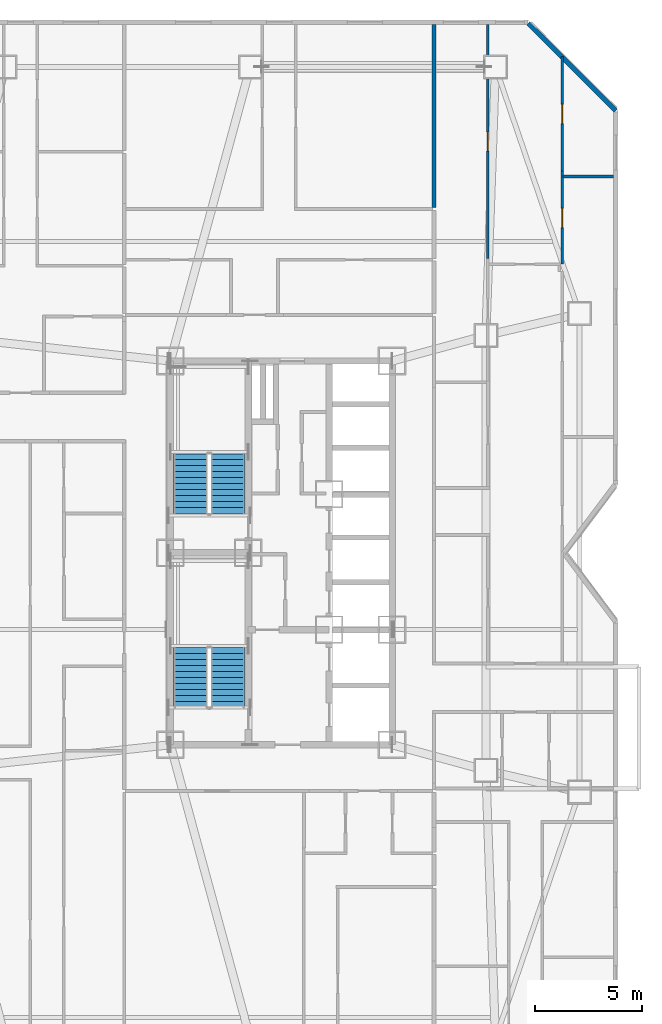
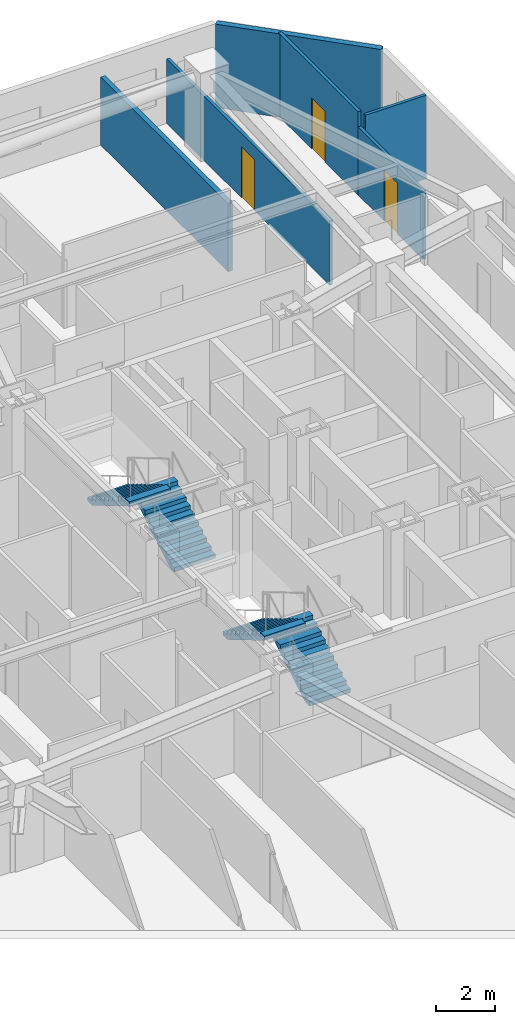
# One storey, part 14 of 17: 6 walls, 4 stair flights, 3 doors, 3 openings, 2 elements without a shape of their own.
"""IFC4 building model written with IfcOpenShell, lengths in metres."""

from ifc_helpers import new_model, si_unit, direction, frame, frame_2d, origin, place, context, subcontext, project, spatial, polyline, rectangle, outline, extrude, material, layer, layer_set, type_object, element, fill, aggregate, save


model = new_model("IFC4")

# Units and contexts
model_context = context("Model", 3, precision=1e-05, world=origin(), true_north=direction((0.0, 1.0)))
body_context = subcontext(model_context, "Body", "Model", "MODEL_VIEW")
ifc_project = project(units=[si_unit("LENGTHUNIT", "METRE"), si_unit("AREAUNIT", "SQUARE_METRE"), si_unit("VOLUMEUNIT", "CUBIC_METRE"), si_unit("PLANEANGLEUNIT", "RADIAN"), si_unit("MASSUNIT", "GRAM", prefix="KILO")], contexts=[model_context])

# Site, building, storey
site_placement = place(None, origin())
site = spatial("IfcSite", under=ifc_project, at=site_placement, CompositionType="ELEMENT")
building_placement = place(site_placement, origin())
building = spatial("IfcBuilding", under=site, at=building_placement, Name="Khamvora Tower", CompositionType="ELEMENT")
storey_placement = place(building_placement, frame((0.0, 0.0, 73.449951171875)))
storey = spatial("IfcBuildingStorey", under=building, at=storey_placement, Name="L18", CompositionType="ELEMENT", Elevation=73.449951171875)

# Walls
ifc_material_1 = material(Name="Acoustic Double-Stud Fire Wall", Category="gypsum")
ifc_layer_1 = layer(ifc_material_1, 0.179931640625)
ifc_layer_set_1 = layer_set([ifc_layer_1], Name="Acoustic Double-Stud Fire Wall")
wall_type_1 = type_object("IfcWallType", Name="WAL-CORR-180", PredefinedType="STANDARD", material=ifc_layer_set_1)
wall_1_placement = place(storey_placement, frame((41.364990234375, 52.7880859375, 0.0), z_axis=(0.0, 0.0, 1.0), x_axis=(0.0, -1.0, 0.0)))
element("IfcWall", 1, at=wall_1_placement, inside=storey, type_object=wall_type_1, Name="L18 interior partition wall 148", PredefinedType="STANDARD", context=body_context, shape_type="SweptSolid", body=[
    extrude(rectangle(XDim=8.589111328125, YDim=0.179931640625, at=frame_2d((4.29443359375, 0.0))), origin(), (0.0, 0.0, 1.0), 2.802978515625),
])
ifc_material_2 = material(Name="Precast concrete C40/50", Category="concrete")
ifc_layer_2 = layer(ifc_material_2, 0.219970703125)
ifc_layer_set_2 = layer_set([ifc_layer_2], Name="Precast concrete C40/50")
wall_type_2 = type_object("IfcWallType", Name="WAL-EXT-220", PredefinedType="STANDARD", material=ifc_layer_set_2)
wall_2_placement = place(storey_placement, frame((45.802001953125, 52.842041015625, 0.0), z_axis=(0.0, 0.0, 1.0), x_axis=(0.707085666273, -0.70712789547, 0.0)))
element("IfcWall", 2, at=wall_2_placement, inside=storey, type_object=wall_type_2, Name="L18 exterior facade wall 08.1", PredefinedType="STANDARD", context=body_context, shape_type="SweptSolid", body=[
    extrude(rectangle(XDim=5.78125, YDim=0.219970703125, at=frame_2d((2.890625, 0.0))), origin(), (0.0, 0.0, 1.0), 3.429931640625),
])

# Wall, opening, door
ifc_material_3 = material(Name="Gypsum Plasterboard Partition", Category="gypsum")
ifc_layer_3 = layer(ifc_material_3, 0.1201171875)
ifc_layer_set_3 = layer_set([ifc_layer_3], Name="Gypsum Plasterboard Partition")
wall_type_3 = type_object("IfcWallType", Name="WAL-PART-120", PredefinedType="PARTITIONING", material=ifc_layer_set_3)
wall_3_placement = place(storey_placement, frame((43.89501953125, 52.7880859375, 0.0), z_axis=(0.0, 0.0, 1.0), x_axis=(0.0, -1.0, 0.0)))
wall_3 = element("IfcWall", 3, at=wall_3_placement, inside=storey, type_object=wall_type_3, Name="L18 interior partition wall 162", PredefinedType="PARTITIONING", context=body_context, shape_type="SweptSolid", body=[
    extrude(rectangle(XDim=10.988037109375, YDim=0.1201171875, at=frame_2d((5.494140625, 0.0))), origin(), (0.0, 0.0, 1.0), 2.64697265625),
])
opening_1_placement = place(wall_3_placement, frame((5.0439453125, 0.0, 0.0)))
opening_1 = element("IfcOpeningElement", 4, at=opening_1_placement, cuts=wall_3, Name="Opening D-RM1", PredefinedType="OPENING", context=body_context, shape_type="SweptSolid", body=[
    extrude(rectangle(XDim=0.89990234375, YDim=2.10009765625, at=frame_2d((0.449951171875, 1.050048828125))), frame((0.0, 0.070068359375, 0.0), z_axis=(0.0, -1.0, 0.0), x_axis=(1.0, 0.0, 0.0)), (0.0, 0.0, 1.0), 0.14013671875),
])
ifc_material_4 = material(Name="Powder-Coated Steel and Hardwood Leaf", Category="steel")
door_type = type_object("IfcDoorType", Name="DOR-ROOM-900", OperationType="NOTDEFINED", PredefinedType="DOOR", material=ifc_material_4)
door_1_placement = place(opening_1_placement, origin())
door_1 = element("IfcDoor", 5, at=door_1_placement, inside=storey, type_object=door_type, Name="L18 interior door 18EBW2-18EBD", OperationType="SINGLE_SWING_RIGHT", OverallHeight=2.10009765625, OverallWidth=0.89990234375, PredefinedType="DOOR", context=body_context, shape_type="SweptSolid", body=[
    extrude(rectangle(XDim=0.89990234375, YDim=2.10009765625, at=frame_2d((0.449951171875, 1.050048828125))), frame((0.0, 0.02490234375, 0.0), z_axis=(0.0, -1.0, 0.0), x_axis=(1.0, 0.0, 0.0)), (0.0, 0.0, 1.0), 0.050048828125),
])
fill(opening_1, door_1)

wall_4_placement = place(storey_placement, frame((47.375, 45.907958984375, 0.0), z_axis=(0.0, 0.0, 1.0), x_axis=(0.0, -1.0, 0.0)))
wall_4 = element("IfcWall", 6, at=wall_4_placement, inside=storey, type_object=wall_type_3, Name="L18 interior partition wall 172", PredefinedType="PARTITIONING", context=body_context, shape_type="SweptSolid", body=[
    extrude(rectangle(XDim=4.35693359375, YDim=0.1201171875, at=frame_2d((2.178466796875, 0.0))), origin(), (0.0, 0.0, 1.0), 2.802978515625),
])
opening_2_placement = place(wall_4_placement, frame((1.75, 0.0, 0.0)))
opening_2 = element("IfcOpeningElement", 7, at=opening_2_placement, cuts=wall_4, Name="Opening D-RM1", PredefinedType="OPENING", context=body_context, shape_type="SweptSolid", body=[
    extrude(rectangle(XDim=0.89990234375, YDim=2.10009765625, at=frame_2d((0.449951171875, 1.050048828125))), frame((0.0, 0.070068359375, 0.0), z_axis=(0.0, -1.0, 0.0), x_axis=(1.0, 0.0, 0.0)), (0.0, 0.0, 1.0), 0.14013671875),
])
door_2_placement = place(opening_2_placement, origin())
door_2 = element("IfcDoor", 8, at=door_2_placement, inside=storey, type_object=door_type, Name="L18 interior door 18EBD-18EBR2", OperationType="SINGLE_SWING_LEFT", OverallHeight=2.10009765625, OverallWidth=0.89990234375, PredefinedType="DOOR", context=body_context, shape_type="SweptSolid", body=[
    extrude(rectangle(XDim=0.89990234375, YDim=2.10009765625, at=frame_2d((0.449951171875, 1.050048828125))), frame((0.0, 0.02490234375, 0.0), z_axis=(0.0, -1.0, 0.0), x_axis=(1.0, 0.0, 0.0)), (0.0, 0.0, 1.0), 0.050048828125),
])
fill(opening_2, door_2)

wall_5_placement = place(storey_placement, frame((47.375, 51.278076171875, 0.0), z_axis=(0.0, 0.0, 1.0), x_axis=(0.0, -1.0, 0.0)))
wall_5 = element("IfcWall", 9, at=wall_5_placement, inside=storey, type_object=wall_type_3, Name="L18 interior partition wall 173", PredefinedType="PARTITIONING", context=body_context, shape_type="SweptSolid", body=[
    extrude(rectangle(XDim=5.3701171875, YDim=0.1201171875, at=frame_2d((2.68505859375, 0.0))), origin(), (0.0, 0.0, 1.0), 3.429931640625),
])
opening_3_placement = place(wall_5_placement, frame((2.235107421875, 0.0, 0.0)))
opening_3 = element("IfcOpeningElement", 10, at=opening_3_placement, cuts=wall_5, Name="Opening D-RM1", PredefinedType="OPENING", context=body_context, shape_type="SweptSolid", body=[
    extrude(rectangle(XDim=0.89990234375, YDim=2.10009765625, at=frame_2d((0.449951171875, 1.050048828125))), frame((0.0, 0.070068359375, 0.0), z_axis=(0.0, -1.0, 0.0), x_axis=(1.0, 0.0, 0.0)), (0.0, 0.0, 1.0), 0.14013671875),
])
door_3_placement = place(opening_3_placement, origin())
door_3 = element("IfcDoor", 11, at=door_3_placement, inside=storey, type_object=door_type, Name="L18 interior door 18EBD-18EBR3", OperationType="SINGLE_SWING_RIGHT", OverallHeight=2.10009765625, OverallWidth=0.89990234375, PredefinedType="DOOR", context=body_context, shape_type="SweptSolid", body=[
    extrude(rectangle(XDim=0.89990234375, YDim=2.10009765625, at=frame_2d((0.449951171875, 1.050048828125))), frame((0.0, 0.02490234375, 0.0), z_axis=(0.0, -1.0, 0.0), x_axis=(1.0, 0.0, 0.0)), (0.0, 0.0, 1.0), 0.050048828125),
])
fill(opening_3, door_3)

# Wall
wall_6_placement = place(storey_placement, frame((47.428955078125, 45.658935546875, 0.0), z_axis=(0.0, 0.0, 1.0), x_axis=(1.0, 0.0, 0.0)))
element("IfcWall", 12, at=wall_6_placement, inside=storey, type_object=wall_type_3, Name="L18 interior partition wall 175", PredefinedType="PARTITIONING", context=body_context, shape_type="SweptSolid", body=[
    extrude(rectangle(XDim=2.359130859375, YDim=0.1201171875, at=frame_2d((1.1796875, 0.0))), origin(), (0.0, 0.0, 1.0), 3.429931640625),
])

# Stair, stair flights
ifc_material_5 = material(Name="Concrete C40/50", Category="concrete")
stair_type_1 = type_object("IfcStairType", Name="STR-ST-01", PredefinedType="HALF_TURN_STAIR", material=ifc_material_5)
stair_1_placement = place(storey_placement, origin())
stair_1 = element("IfcStair", 13, at=stair_1_placement, inside=storey, type_object=stair_type_1, Name="L18 South Tower Exit Stair ST-01", PredefinedType="HALF_TURN_STAIR")
stair_flight_type_1 = type_object("IfcStairFlightType", Name="STF-ST-01", PredefinedType="STRAIGHT", material=ifc_material_5)
stair_flight_1_placement = place(storey_placement, frame((31.699951171875, 20.75, 0.0), z_axis=(0.0, 0.0, 1.0), x_axis=(0.0, 1.0, 0.0)))
stair_flight_1 = element("IfcStairFlight", 14, at=stair_flight_1_placement, type_object=stair_flight_type_1, Name="ST-01 flight 1", NumberOfRisers=11, NumberOfTreads=10, PredefinedType="STRAIGHT", RiserHeight=0.165909091, TreadLength=0.28, context=body_context, shape_type="SweptSolid", body=[
    extrude(outline(polyline([(0.0, 0.0), (0.0, 0.166015625), (0.280029296875, 0.166015625), (0.280029296875, 0.331787109375), (0.56005859375, 0.331787109375), (0.56005859375, 0.497802734375), (0.840087890625, 0.497802734375), (0.840087890625, 0.66357421875), (1.1201171875, 0.66357421875), (1.1201171875, 0.82958984375), (1.39990234375, 0.82958984375), (1.39990234375, 0.995361328125), (1.679931640625, 0.995361328125), (1.679931640625, 1.161376953125), (1.9599609375, 1.161376953125), (1.9599609375, 1.327392578125), (2.239990234375, 1.327392578125), (2.239990234375, 1.4931640625), (2.52001953125, 1.4931640625), (2.52001953125, 1.6591796875), (2.800048828125, 1.6591796875), (2.800048828125, 1.824951171875), (2.800048828125, 1.48486328125), (0.2939453125, 0.0), (0.0, 0.0)])), frame((0.0, 0.800048828125, 0.0), z_axis=(0.0, -1.0, 0.0), x_axis=(1.0, 0.0, 0.0)), (0.0, 0.0, 1.0), 1.60009765625),
])
stair_flight_2_placement = place(storey_placement, frame((29.949951171875, 23.550048828125, 1.824951171875), z_axis=(0.0, 0.0, 1.0), x_axis=(0.0, -1.0, 0.0)))
stair_flight_2 = element("IfcStairFlight", 15, at=stair_flight_2_placement, type_object=stair_flight_type_1, Name="ST-01 flight 2", NumberOfRisers=11, NumberOfTreads=10, PredefinedType="STRAIGHT", RiserHeight=0.165909091, TreadLength=0.28, context=body_context, shape_type="SweptSolid", body=[
    extrude(outline(polyline([(0.0, 0.0), (0.0, 0.166015625), (0.280029296875, 0.166015625), (0.280029296875, 0.331787109375), (0.56005859375, 0.331787109375), (0.56005859375, 0.497802734375), (0.840087890625, 0.497802734375), (0.840087890625, 0.66357421875), (1.1201171875, 0.66357421875), (1.1201171875, 0.82958984375), (1.39990234375, 0.82958984375), (1.39990234375, 0.995361328125), (1.679931640625, 0.995361328125), (1.679931640625, 1.161376953125), (1.9599609375, 1.161376953125), (1.9599609375, 1.327392578125), (2.239990234375, 1.327392578125), (2.239990234375, 1.4931640625), (2.52001953125, 1.4931640625), (2.52001953125, 1.6591796875), (2.800048828125, 1.6591796875), (2.800048828125, 1.824951171875), (2.800048828125, 1.48486328125), (0.2939453125, 0.0), (0.0, 0.0)])), frame((0.0, 0.800048828125, 0.0), z_axis=(0.0, -1.0, 0.0), x_axis=(1.0, 0.0, 0.0)), (0.0, 0.0, 1.0), 1.60009765625),
])
aggregate(stair_1, [stair_flight_1, stair_flight_2])

stair_type_2 = type_object("IfcStairType", Name="STR-ST-02", PredefinedType="HALF_TURN_STAIR", material=ifc_material_5)
stair_2_placement = place(storey_placement, origin())
stair_2 = element("IfcStair", 16, at=stair_2_placement, inside=storey, type_object=stair_type_2, Name="L18 North Tower Exit Stair ST-02", PredefinedType="HALF_TURN_STAIR")
stair_flight_type_2 = type_object("IfcStairFlightType", Name="STF-ST-02", PredefinedType="STRAIGHT", material=ifc_material_5)
stair_flight_3_placement = place(storey_placement, frame((31.699951171875, 29.85009765625, 0.0), z_axis=(0.0, 0.0, 1.0), x_axis=(0.0, 1.0, 0.0)))
stair_flight_3 = element("IfcStairFlight", 17, at=stair_flight_3_placement, type_object=stair_flight_type_2, Name="ST-02 flight 1", NumberOfRisers=11, NumberOfTreads=10, PredefinedType="STRAIGHT", RiserHeight=0.165909091, TreadLength=0.28, context=body_context, shape_type="SweptSolid", body=[
    extrude(outline(polyline([(0.0, 0.0), (0.0, 0.166015625), (0.280029296875, 0.166015625), (0.280029296875, 0.331787109375), (0.56005859375, 0.331787109375), (0.56005859375, 0.497802734375), (0.840087890625, 0.497802734375), (0.840087890625, 0.66357421875), (1.1201171875, 0.66357421875), (1.1201171875, 0.82958984375), (1.39990234375, 0.82958984375), (1.39990234375, 0.995361328125), (1.679931640625, 0.995361328125), (1.679931640625, 1.161376953125), (1.9599609375, 1.161376953125), (1.9599609375, 1.327392578125), (2.239990234375, 1.327392578125), (2.239990234375, 1.4931640625), (2.52001953125, 1.4931640625), (2.52001953125, 1.6591796875), (2.800048828125, 1.6591796875), (2.800048828125, 1.824951171875), (2.800048828125, 1.48486328125), (0.2939453125, 0.0), (0.0, 0.0)])), frame((0.0, 0.800048828125, 0.0), z_axis=(0.0, -1.0, 0.0), x_axis=(1.0, 0.0, 0.0)), (0.0, 0.0, 1.0), 1.60009765625),
])
stair_flight_4_placement = place(storey_placement, frame((29.949951171875, 32.64990234375, 1.824951171875), z_axis=(0.0, 0.0, 1.0), x_axis=(0.0, -1.0, 0.0)))
stair_flight_4 = element("IfcStairFlight", 18, at=stair_flight_4_placement, type_object=stair_flight_type_2, Name="ST-02 flight 2", NumberOfRisers=11, NumberOfTreads=10, PredefinedType="STRAIGHT", RiserHeight=0.165909091, TreadLength=0.28, context=body_context, shape_type="SweptSolid", body=[
    extrude(outline(polyline([(0.0, 0.0), (0.0, 0.166015625), (0.280029296875, 0.166015625), (0.280029296875, 0.331787109375), (0.56005859375, 0.331787109375), (0.56005859375, 0.497802734375), (0.840087890625, 0.497802734375), (0.840087890625, 0.66357421875), (1.1201171875, 0.66357421875), (1.1201171875, 0.82958984375), (1.39990234375, 0.82958984375), (1.39990234375, 0.995361328125), (1.679931640625, 0.995361328125), (1.679931640625, 1.161376953125), (1.9599609375, 1.161376953125), (1.9599609375, 1.327392578125), (2.239990234375, 1.327392578125), (2.239990234375, 1.4931640625), (2.52001953125, 1.4931640625), (2.52001953125, 1.6591796875), (2.800048828125, 1.6591796875), (2.800048828125, 1.824951171875), (2.800048828125, 1.48486328125), (0.2939453125, 0.0), (0.0, 0.0)])), frame((0.0, 0.800048828125, 0.0), z_axis=(0.0, -1.0, 0.0), x_axis=(1.0, 0.0, 0.0)), (0.0, 0.0, 1.0), 1.60009765625),
])
aggregate(stair_2, [stair_flight_3, stair_flight_4])

save(model, "model.ifc")
